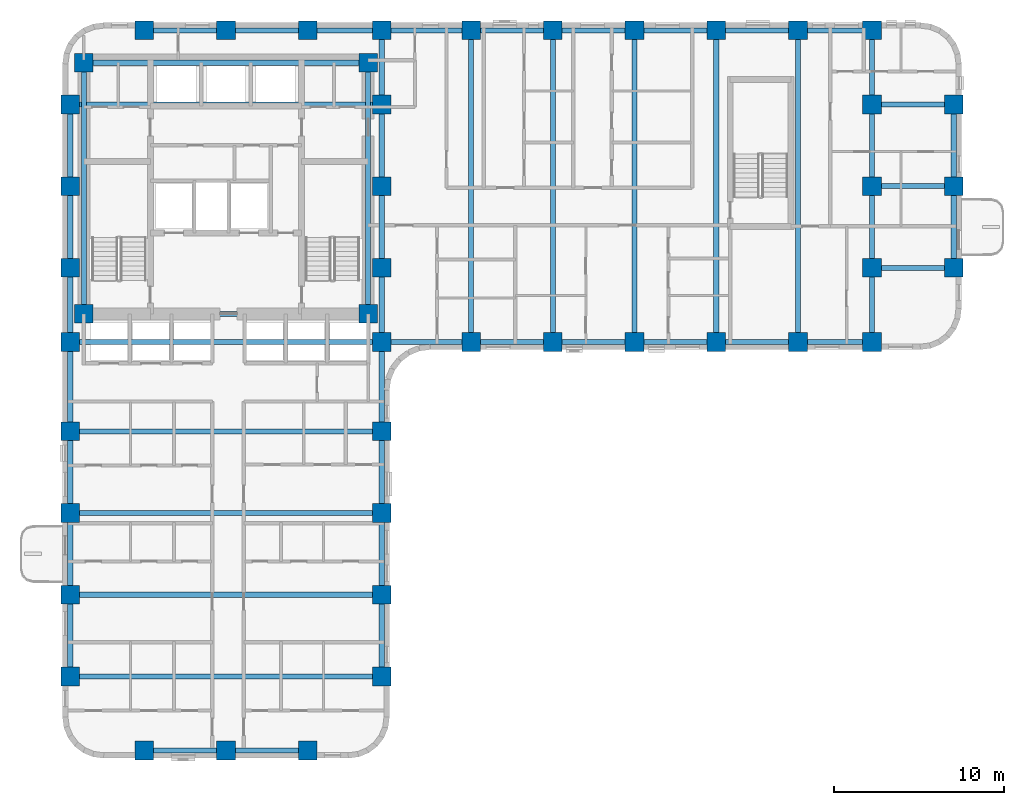
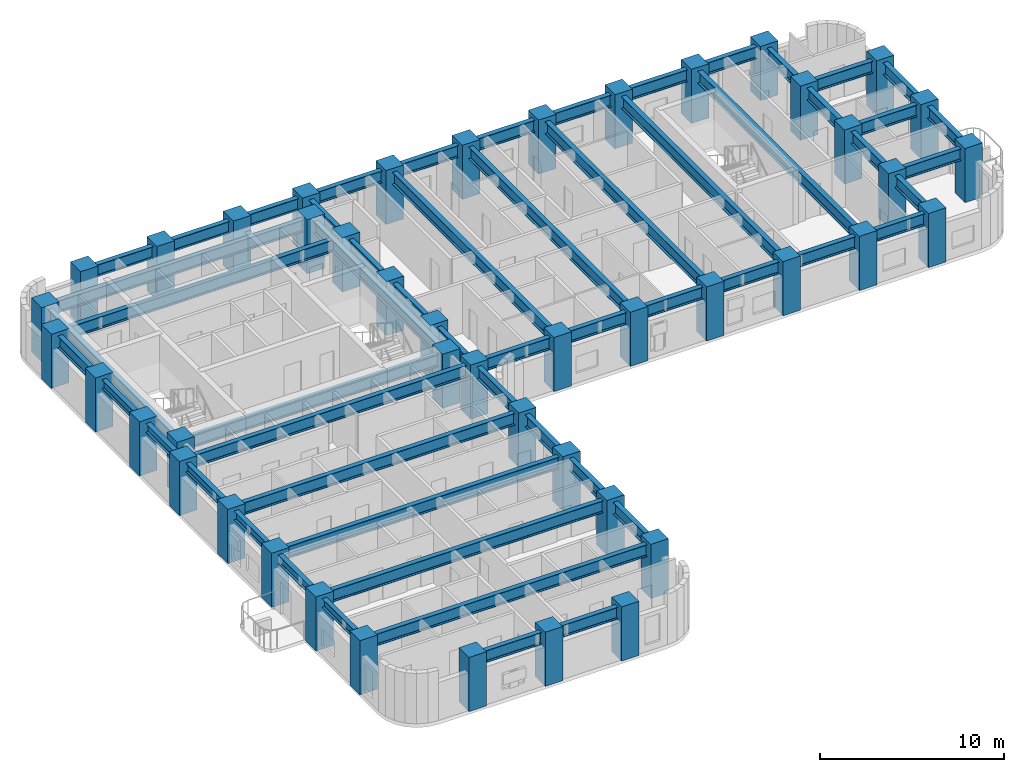
# One storey, part 1 of 10: 56 beams, 45 columns.
"""IFC4 building model written with IfcOpenShell, lengths in metres."""

from ifc_helpers import new_model, si_unit, direction, frame, origin, origin_2d, place, context, subcontext, project, spatial, rectangle, i_section, extrude, material, material_profile, profile_set, type_object, element, save


model = new_model("IFC4")

# Units and contexts
model_context = context("Model", 3, precision=1e-05, world=origin(), true_north=direction((0.0, 1.0)))
body_context = subcontext(model_context, "Body", "Model", "MODEL_VIEW")
ifc_project = project(units=[si_unit("LENGTHUNIT", "METRE"), si_unit("AREAUNIT", "SQUARE_METRE"), si_unit("VOLUMEUNIT", "CUBIC_METRE"), si_unit("PLANEANGLEUNIT", "RADIAN"), si_unit("MASSUNIT", "GRAM", prefix="KILO")], contexts=[model_context])

# Site, building, storey
site_placement = place(None, origin())
site = spatial("IfcSite", under=ifc_project, at=site_placement, CompositionType="ELEMENT")
building_placement = place(site_placement, origin())
building = spatial("IfcBuilding", under=site, at=building_placement, Name="Orvandelia Arch Residences", CompositionType="ELEMENT")
storey_placement = place(building_placement, frame((0.0, 0.0, 28.60009765625)))
storey = spatial("IfcBuildingStorey", under=building, at=storey_placement, Name="L06", CompositionType="ELEMENT", Elevation=28.60009765625)

# Columns
ifc_material_1 = material(Name="Concrete C80/95", Category="concrete")
ifc_material_profile_1 = material_profile(ifc_material_1, rectangle(XDim=1.10009765625, YDim=1.10009765625, at=origin_2d()), Name="Concrete C80/95", Category="concrete")
ifc_profile_set_1 = profile_set([ifc_material_profile_1], Name="Concrete C80/95")
column_type = type_object("IfcColumnType", Name="COL-TWR-1100", PredefinedType="COLUMN", material=ifc_profile_set_1)
for number, where, z_axis, x_axis, name in (
    (1, (5.25, 9.60009765625, 0.0), (0.0, 0.0, 1.0), (1.0, 0.0, 0.0), "Structural Column L06-W-W-96"),
    (2, (5.25, 14.39990234375, 0.0), (0.0, 0.0, 1.0), (1.0, 0.0, 0.0), "Structural Column L06-W-W-144"),
    (3, (5.25, 19.199951171875, 0.0), (0.0, 0.0, 1.0), (1.0, 0.0, 0.0), "Structural Column L06-W-W-192"),
    (4, (5.25, 24.0, 0.0), (0.0, 0.0, 1.0), (1.0, 0.0, 0.0), "Structural Column L06-W-W-240"),
    (5, (5.25, 29.25, 0.0), (0.0, 0.0, 1.0), (1.0, 0.0, 0.0), "Structural Column L06-W-W-292"),
    (6, (5.25, 33.60009765625, 0.0), (0.0, 0.0, 1.0), (1.0, 0.0, 0.0), "Structural Column L06-W-W-336"),
    (7, (5.25, 38.39990234375, 0.0), (0.0, 0.0, 1.0), (1.0, 0.0, 0.0), "Structural Column L06-W-W-384"),
    (8, (5.25, 43.199951171875, 0.0), (0.0, 0.0, 1.0), (1.0, 0.0, 0.0), "Structural Column L06-W-W-432"),
    (9, (6.050048828125, 30.89990234375, 0.0), (0.0, 0.0, 1.0), (1.0, 0.0, 0.0), "Structural Column L06-CR-SW"),
    (10, (6.050048828125, 45.64990234375, 0.0), (0.0, 0.0, 1.0), (1.0, 0.0, 0.0), "Structural Column L06-CR-NW"),
    (11, (9.60009765625, 5.25, 0.0), (0.0, 0.0, 1.0), (1.0, 0.0, 0.0), "Structural Column L06-W-S-96"),
    (12, (9.60009765625, 47.550048828125, 0.0), (0.0, 0.0, 1.0), (1.0, 0.0, 0.0), "Structural Column L06-W-N-96"),
    (13, (14.39990234375, 5.25, 0.0), (0.0, 0.0, 1.0), (1.0, 0.0, 0.0), "Structural Column L06-W-S-144"),
    (14, (14.39990234375, 47.550048828125, 0.0), (0.0, 0.0, 1.0), (1.0, 0.0, 0.0), "Structural Column L06-W-N-144"),
    (15, (19.199951171875, 5.25, 0.0), (0.0, 0.0, 1.0), (1.0, 0.0, 0.0), "Structural Column L06-W-S-192"),
    (16, (19.199951171875, 47.550048828125, 0.0), (0.0, 0.0, 1.0), (1.0, 0.0, 0.0), "Structural Column L06-W-N-192"),
    (17, (22.75, 30.89990234375, 0.0), (0.0, 0.0, 1.0), (1.0, 0.0, 0.0), "Structural Column L06-CR-SE"),
    (18, (22.75, 45.64990234375, 0.0), (0.0, 0.0, 1.0), (1.0, 0.0, 0.0), "Structural Column L06-CR-NE"),
    (19, (23.550048828125, 9.60009765625, 0.0), (0.0, 0.0, 1.0), (1.0, 0.0, 0.0), "Structural Column L06-W-E-96"),
    (20, (23.550048828125, 14.39990234375, 0.0), (0.0, 0.0, 1.0), (1.0, 0.0, 0.0), "Structural Column L06-W-E-144"),
    (21, (23.550048828125, 19.199951171875, 0.0), (0.0, 0.0, 1.0), (1.0, 0.0, 0.0), "Structural Column L06-W-E-192"),
    (22, (23.550048828125, 24.0, 0.0), (0.0, 0.0, 1.0), (1.0, 0.0, 0.0), "Structural Column L06-W-E-240"),
    (23, (23.550048828125, 29.25, 0.0), (0.0, 0.0, 1.0), (1.0, 0.0, 0.0), "Structural Column L06-W-E-292"),
    (24, (23.550048828125, 33.60009765625, 0.0), (0.0, 0.0, 1.0), (1.0, 0.0, 0.0), "Structural Column L06-W-E-336"),
    (25, (23.550048828125, 38.39990234375, 0.0), (0.0, 0.0, 1.0), (1.0, 0.0, 0.0), "Structural Column L06-W-E-384"),
    (26, (23.550048828125, 43.199951171875, 0.0), (0.0, 0.0, 1.0), (1.0, 0.0, 0.0), "Structural Column L06-W-E-432"),
    (27, (23.550048828125, 47.550048828125, 0.0), (0.0, 0.0, 1.0), (1.0, 0.0, 0.0), "Structural Column L06-W-N-235"),
    (28, (28.800048828125, 29.25, 0.0), (0.0, 0.0, 1.0), (1.0, 0.0, 0.0), "Structural Column L06-E-S-288"),
    (29, (28.800048828125, 47.550048828125, 0.0), (0.0, 0.0, 1.0), (1.0, 0.0, 0.0), "Structural Column L06-E-N-288"),
    (30, (33.60009765625, 29.25, 0.0), (0.0, 0.0, 1.0), (1.0, 0.0, 0.0), "Structural Column L06-E-S-336"),
    (31, (33.60009765625, 47.550048828125, 0.0), (0.0, 0.0, 1.0), (1.0, 0.0, 0.0), "Structural Column L06-E-N-336"),
    (32, (38.39990234375, 29.25, 0.0), (0.0, 0.0, 1.0), (1.0, 0.0, 0.0), "Structural Column L06-E-S-384"),
    (33, (38.39990234375, 47.550048828125, 0.0), (0.0, 0.0, 1.0), (1.0, 0.0, 0.0), "Structural Column L06-E-N-384"),
    (34, (43.199951171875, 29.25, 0.0), (0.0, 0.0, 1.0), (1.0, 0.0, 0.0), "Structural Column L06-E-S-432"),
    (35, (43.199951171875, 47.550048828125, 0.0), (0.0, 0.0, 1.0), (1.0, 0.0, 0.0), "Structural Column L06-E-N-432"),
    (36, (48.0, 29.25, 0.0), (0.0, 0.0, 1.0), (1.0, 0.0, 0.0), "Structural Column L06-E-S-480"),
    (37, (48.0, 47.550048828125, 0.0), (0.0, 0.0, 1.0), (1.0, 0.0, 0.0), "Structural Column L06-E-N-480"),
    (38, (52.35009765625, 29.25, 0.0), (0.0, 0.0, 1.0), (1.0, 0.0, 0.0), "Structural Column L06-E-S-523"),
    (39, (52.35009765625, 33.60009765625, 0.0), (0.0, 0.0, 1.0), (1.0, 0.0, 0.0), "Structural Column L06-E-523-336"),
    (40, (52.35009765625, 38.39990234375, 0.0), (0.0, 0.0, 1.0), (1.0, 0.0, 0.0), "Structural Column L06-E-523-384"),
    (41, (52.35009765625, 43.199951171875, 0.0), (0.0, 0.0, 1.0), (1.0, 0.0, 0.0), "Structural Column L06-E-523-432"),
    (42, (52.35009765625, 47.550048828125, 0.0), (0.0, 0.0, 1.0), (1.0, 0.0, 0.0), "Structural Column L06-E-N-523"),
    (43, (57.14990234375, 33.60009765625, 0.0), (0.0, 0.0, 1.0), (1.0, 0.0, 0.0), "Structural Column L06-E-571-336"),
    (44, (57.14990234375, 38.39990234375, 0.0), (0.0, 0.0, 1.0), (1.0, 0.0, 0.0), "Structural Column L06-E-571-384"),
    (45, (57.14990234375, 43.199951171875, 0.0), (0.0, 0.0, 1.0), (1.0, 0.0, 0.0), "Structural Column L06-E-571-432"),
):
    element("IfcColumn", number, at=place(storey_placement, frame(where, z_axis=z_axis, x_axis=x_axis)), inside=storey, type_object=column_type, Name=name, PredefinedType="COLUMN", context=body_context, shape_type="SweptSolid", body=[
        extrude(rectangle(XDim=1.10009765625, YDim=1.10009765625, at=origin_2d()), origin(), (0.0, 0.0, 1.0), 3.599853515625),
    ])

# Beams
ifc_material_2 = material(Name="Structural Steel SM355 (355 MPa)", Category="steel")
ifc_material_profile_2 = material_profile(ifc_material_2, i_section(OverallWidth=0.300048828125, OverallDepth=0.800048828125, WebThickness=0.013916015625, FlangeThickness=0.02587890625, FilletRadius=0.02587890625, at=origin_2d()), Name="Structural Steel SM355 (355 MPa)", Category="steel")
ifc_profile_set_2 = profile_set([ifc_material_profile_2], Name="Structural Steel SM355 (355 MPa)")
beam_type_1 = type_object("IfcBeamType", Name="BM-GRD-H800", PredefinedType="BEAM", material=ifc_profile_set_2)
beam_1_placement = place(storey_placement, frame((5.25, 38.39990234375, 2.949951171875), z_axis=(0.0, 1.0, 0.0), x_axis=(-1.0, 0.0, 0.0)))
element("IfcBeam", 46, at=beam_1_placement, inside=storey, type_object=beam_type_1, Name="Structural Frame Beam L06-NS-007", PredefinedType="BEAM", context=body_context, shape_type="SweptSolid", body=[
    extrude(i_section(OverallWidth=0.300048828125, OverallDepth=0.800048828125, WebThickness=0.013916015625, FlangeThickness=0.02587890625, FilletRadius=0.02587890625, at=origin_2d()), origin(), (0.0, 0.0, 1.0), 4.800048828125),
])
for number, where, z_axis, x_axis, name in (
    (47, (6.050048828125, 30.89990234375, 2.949951171875), (0.0, 1.0, 0.0), (-1.0, 0.0, 0.0), "Structural Frame Beam L06-NS-008"),
    (48, (22.75, 30.89990234375, 2.949951171875), (0.0, 1.0, 0.0), (-1.0, 0.0, 0.0), "Structural Frame Beam L06-NS-009"),
):
    element("IfcBeam", number, at=place(storey_placement, frame(where, z_axis=z_axis, x_axis=x_axis)), inside=storey, type_object=beam_type_1, Name=name, PredefinedType="BEAM", context=body_context, shape_type="SweptSolid", body=[
        extrude(i_section(OverallWidth=0.300048828125, OverallDepth=0.800048828125, WebThickness=0.013916015625, FlangeThickness=0.02587890625, FilletRadius=0.02587890625, at=origin_2d()), origin(), (0.0, 0.0, 1.0), 14.75),
    ])
beam_2_placement = place(storey_placement, frame((23.550048828125, 9.60009765625, 2.949951171875), z_axis=(0.0, 1.0, 0.0), x_axis=(-1.0, 0.0, 0.0)))
element("IfcBeam", 49, at=beam_2_placement, inside=storey, type_object=beam_type_1, Name="Structural Frame Beam L06-NS-010", PredefinedType="BEAM", context=body_context, shape_type="SweptSolid", body=[
    extrude(i_section(OverallWidth=0.300048828125, OverallDepth=0.800048828125, WebThickness=0.013916015625, FlangeThickness=0.02587890625, FilletRadius=0.02587890625, at=origin_2d()), origin(), (0.0, 0.0, 1.0), 4.7998046875),
])
for number, where, z_axis, x_axis, name in (
    (50, (23.550048828125, 14.39990234375, 2.949951171875), (0.0, 1.0, 0.0), (-1.0, 0.0, 0.0), "Structural Frame Beam L06-NS-011"),
    (51, (23.550048828125, 19.199951171875, 2.949951171875), (0.0, 1.0, 0.0), (-1.0, 0.0, 0.0), "Structural Frame Beam L06-NS-012"),
):
    element("IfcBeam", number, at=place(storey_placement, frame(where, z_axis=z_axis, x_axis=x_axis)), inside=storey, type_object=beam_type_1, Name=name, PredefinedType="BEAM", context=body_context, shape_type="SweptSolid", body=[
        extrude(i_section(OverallWidth=0.300048828125, OverallDepth=0.800048828125, WebThickness=0.013916015625, FlangeThickness=0.02587890625, FilletRadius=0.02587890625, at=origin_2d()), origin(), (0.0, 0.0, 1.0), 4.800048828125),
    ])
beam_3_placement = place(storey_placement, frame((23.550048828125, 24.0, 2.949951171875), z_axis=(0.0, 1.0, 0.0), x_axis=(-1.0, 0.0, 0.0)))
element("IfcBeam", 52, at=beam_3_placement, inside=storey, type_object=beam_type_1, Name="Structural Frame Beam L06-NS-013", PredefinedType="BEAM", context=body_context, shape_type="SweptSolid", body=[
    extrude(i_section(OverallWidth=0.300048828125, OverallDepth=0.800048828125, WebThickness=0.013916015625, FlangeThickness=0.02587890625, FilletRadius=0.02587890625, at=origin_2d()), origin(), (0.0, 0.0, 1.0), 5.25),
])
beam_4_placement = place(storey_placement, frame((23.550048828125, 29.25, 2.949951171875), z_axis=(0.0, 1.0, 0.0), x_axis=(-1.0, 0.0, 0.0)))
element("IfcBeam", 53, at=beam_4_placement, inside=storey, type_object=beam_type_1, Name="Structural Frame Beam L06-NS-014", PredefinedType="BEAM", context=body_context, shape_type="SweptSolid", body=[
    extrude(i_section(OverallWidth=0.300048828125, OverallDepth=0.800048828125, WebThickness=0.013916015625, FlangeThickness=0.02587890625, FilletRadius=0.02587890625, at=origin_2d()), origin(), (0.0, 0.0, 1.0), 4.35009765625),
])
beam_5_placement = place(storey_placement, frame((23.550048828125, 33.60009765625, 2.949951171875), z_axis=(0.0, 1.0, 0.0), x_axis=(-1.0, 0.0, 0.0)))
element("IfcBeam", 54, at=beam_5_placement, inside=storey, type_object=beam_type_1, Name="Structural Frame Beam L06-NS-015", PredefinedType="BEAM", context=body_context, shape_type="SweptSolid", body=[
    extrude(i_section(OverallWidth=0.300048828125, OverallDepth=0.800048828125, WebThickness=0.013916015625, FlangeThickness=0.02587890625, FilletRadius=0.02587890625, at=origin_2d()), origin(), (0.0, 0.0, 1.0), 4.7998046875),
])
beam_6_placement = place(storey_placement, frame((23.550048828125, 38.39990234375, 2.949951171875), z_axis=(0.0, 1.0, 0.0), x_axis=(-1.0, 0.0, 0.0)))
element("IfcBeam", 55, at=beam_6_placement, inside=storey, type_object=beam_type_1, Name="Structural Frame Beam L06-NS-016", PredefinedType="BEAM", context=body_context, shape_type="SweptSolid", body=[
    extrude(i_section(OverallWidth=0.300048828125, OverallDepth=0.800048828125, WebThickness=0.013916015625, FlangeThickness=0.02587890625, FilletRadius=0.02587890625, at=origin_2d()), origin(), (0.0, 0.0, 1.0), 4.800048828125),
])
beam_7_placement = place(storey_placement, frame((23.550048828125, 43.199951171875, 2.949951171875), z_axis=(0.0, 1.0, 0.0), x_axis=(-1.0, 0.0, 0.0)))
element("IfcBeam", 56, at=beam_7_placement, inside=storey, type_object=beam_type_1, Name="Structural Frame Beam L06-NS-017", PredefinedType="BEAM", context=body_context, shape_type="SweptSolid", body=[
    extrude(i_section(OverallWidth=0.300048828125, OverallDepth=0.800048828125, WebThickness=0.013916015625, FlangeThickness=0.02587890625, FilletRadius=0.02587890625, at=origin_2d()), origin(), (0.0, 0.0, 1.0), 4.35009765625),
])
for number, where, z_axis, x_axis, name in (
    (57, (28.800048828125, 29.25, 2.949951171875), (0.0, 1.0, 0.0), (-1.0, 0.0, 0.0), "Structural Frame Beam L06-NS-018"),
    (58, (33.60009765625, 29.25, 2.949951171875), (0.0, 1.0, 0.0), (-1.0, 0.0, 0.0), "Structural Frame Beam L06-NS-019"),
    (59, (38.39990234375, 29.25, 2.949951171875), (0.0, 1.0, 0.0), (-1.0, 0.0, 0.0), "Structural Frame Beam L06-NS-020"),
    (60, (43.199951171875, 29.25, 2.949951171875), (0.0, 1.0, 0.0), (-1.0, 0.0, 0.0), "Structural Frame Beam L06-NS-021"),
    (61, (48.0, 29.25, 2.949951171875), (0.0, 1.0, 0.0), (-1.0, 0.0, 0.0), "Structural Frame Beam L06-NS-022"),
):
    element("IfcBeam", number, at=place(storey_placement, frame(where, z_axis=z_axis, x_axis=x_axis)), inside=storey, type_object=beam_type_1, Name=name, PredefinedType="BEAM", context=body_context, shape_type="SweptSolid", body=[
        extrude(i_section(OverallWidth=0.300048828125, OverallDepth=0.800048828125, WebThickness=0.013916015625, FlangeThickness=0.02587890625, FilletRadius=0.02587890625, at=origin_2d()), origin(), (0.0, 0.0, 1.0), 18.300048828125),
    ])
beam_8_placement = place(storey_placement, frame((52.35009765625, 29.25, 2.949951171875), z_axis=(0.0, 1.0, 0.0), x_axis=(-1.0, 0.0, 0.0)))
element("IfcBeam", 62, at=beam_8_placement, inside=storey, type_object=beam_type_1, Name="Structural Frame Beam L06-NS-023", PredefinedType="BEAM", context=body_context, shape_type="SweptSolid", body=[
    extrude(i_section(OverallWidth=0.300048828125, OverallDepth=0.800048828125, WebThickness=0.013916015625, FlangeThickness=0.02587890625, FilletRadius=0.02587890625, at=origin_2d()), origin(), (0.0, 0.0, 1.0), 4.35009765625),
])
beam_9_placement = place(storey_placement, frame((52.35009765625, 33.60009765625, 2.949951171875), z_axis=(0.0, 1.0, 0.0), x_axis=(-1.0, 0.0, 0.0)))
element("IfcBeam", 63, at=beam_9_placement, inside=storey, type_object=beam_type_1, Name="Structural Frame Beam L06-NS-024", PredefinedType="BEAM", context=body_context, shape_type="SweptSolid", body=[
    extrude(i_section(OverallWidth=0.300048828125, OverallDepth=0.800048828125, WebThickness=0.013916015625, FlangeThickness=0.02587890625, FilletRadius=0.02587890625, at=origin_2d()), origin(), (0.0, 0.0, 1.0), 4.7998046875),
])
beam_10_placement = place(storey_placement, frame((52.35009765625, 38.39990234375, 2.949951171875), z_axis=(0.0, 1.0, 0.0), x_axis=(-1.0, 0.0, 0.0)))
element("IfcBeam", 64, at=beam_10_placement, inside=storey, type_object=beam_type_1, Name="Structural Frame Beam L06-NS-025", PredefinedType="BEAM", context=body_context, shape_type="SweptSolid", body=[
    extrude(i_section(OverallWidth=0.300048828125, OverallDepth=0.800048828125, WebThickness=0.013916015625, FlangeThickness=0.02587890625, FilletRadius=0.02587890625, at=origin_2d()), origin(), (0.0, 0.0, 1.0), 4.800048828125),
])
beam_11_placement = place(storey_placement, frame((52.35009765625, 43.199951171875, 2.949951171875), z_axis=(0.0, 1.0, 0.0), x_axis=(-1.0, 0.0, 0.0)))
element("IfcBeam", 65, at=beam_11_placement, inside=storey, type_object=beam_type_1, Name="Structural Frame Beam L06-NS-026", PredefinedType="BEAM", context=body_context, shape_type="SweptSolid", body=[
    extrude(i_section(OverallWidth=0.300048828125, OverallDepth=0.800048828125, WebThickness=0.013916015625, FlangeThickness=0.02587890625, FilletRadius=0.02587890625, at=origin_2d()), origin(), (0.0, 0.0, 1.0), 4.35009765625),
])
beam_12_placement = place(storey_placement, frame((57.14990234375, 33.60009765625, 2.949951171875), z_axis=(0.0, 1.0, 0.0), x_axis=(-1.0, 0.0, 0.0)))
element("IfcBeam", 66, at=beam_12_placement, inside=storey, type_object=beam_type_1, Name="Structural Frame Beam L06-NS-027", PredefinedType="BEAM", context=body_context, shape_type="SweptSolid", body=[
    extrude(i_section(OverallWidth=0.300048828125, OverallDepth=0.800048828125, WebThickness=0.013916015625, FlangeThickness=0.02587890625, FilletRadius=0.02587890625, at=origin_2d()), origin(), (0.0, 0.0, 1.0), 4.7998046875),
])
beam_13_placement = place(storey_placement, frame((57.14990234375, 38.39990234375, 2.949951171875), z_axis=(0.0, 1.0, 0.0), x_axis=(-1.0, 0.0, 0.0)))
element("IfcBeam", 67, at=beam_13_placement, inside=storey, type_object=beam_type_1, Name="Structural Frame Beam L06-NS-028", PredefinedType="BEAM", context=body_context, shape_type="SweptSolid", body=[
    extrude(i_section(OverallWidth=0.300048828125, OverallDepth=0.800048828125, WebThickness=0.013916015625, FlangeThickness=0.02587890625, FilletRadius=0.02587890625, at=origin_2d()), origin(), (0.0, 0.0, 1.0), 4.800048828125),
])
beam_14_placement = place(storey_placement, frame((9.60009765625, 5.25, 2.949951171875), z_axis=(1.0, 0.0, 0.0), x_axis=(0.0, 1.0, 0.0)))
element("IfcBeam", 68, at=beam_14_placement, inside=storey, type_object=beam_type_1, Name="Structural Frame Girder L06-EW-029", PredefinedType="BEAM", context=body_context, shape_type="SweptSolid", body=[
    extrude(i_section(OverallWidth=0.300048828125, OverallDepth=0.800048828125, WebThickness=0.013916015625, FlangeThickness=0.02587890625, FilletRadius=0.02587890625, at=origin_2d()), origin(), (0.0, 0.0, 1.0), 4.7998046875),
])
beam_15_placement = place(storey_placement, frame((14.39990234375, 5.25, 2.949951171875), z_axis=(1.0, 0.0, 0.0), x_axis=(0.0, 1.0, 0.0)))
element("IfcBeam", 69, at=beam_15_placement, inside=storey, type_object=beam_type_1, Name="Structural Frame Girder L06-EW-030", PredefinedType="BEAM", context=body_context, shape_type="SweptSolid", body=[
    extrude(i_section(OverallWidth=0.300048828125, OverallDepth=0.800048828125, WebThickness=0.013916015625, FlangeThickness=0.02587890625, FilletRadius=0.02587890625, at=origin_2d()), origin(), (0.0, 0.0, 1.0), 4.800048828125),
])
for number, where, z_axis, x_axis, name in (
    (70, (5.25, 9.60009765625, 2.949951171875), (1.0, 0.0, 0.0), (0.0, 1.0, 0.0), "Structural Frame Girder L06-EW-031"),
    (71, (5.25, 14.39990234375, 2.949951171875), (1.0, 0.0, 0.0), (0.0, 1.0, 0.0), "Structural Frame Girder L06-EW-032"),
    (72, (5.25, 19.199951171875, 2.949951171875), (1.0, 0.0, 0.0), (0.0, 1.0, 0.0), "Structural Frame Girder L06-EW-033"),
    (73, (5.25, 24.0, 2.949951171875), (1.0, 0.0, 0.0), (0.0, 1.0, 0.0), "Structural Frame Girder L06-EW-034"),
    (74, (5.25, 29.25, 2.949951171875), (1.0, 0.0, 0.0), (0.0, 1.0, 0.0), "Structural Frame Girder L06-EW-035"),
):
    element("IfcBeam", number, at=place(storey_placement, frame(where, z_axis=z_axis, x_axis=x_axis)), inside=storey, type_object=beam_type_1, Name=name, PredefinedType="BEAM", context=body_context, shape_type="SweptSolid", body=[
        extrude(i_section(OverallWidth=0.300048828125, OverallDepth=0.800048828125, WebThickness=0.013916015625, FlangeThickness=0.02587890625, FilletRadius=0.02587890625, at=origin_2d()), origin(), (0.0, 0.0, 1.0), 18.300048828125),
    ])
beam_16_placement = place(storey_placement, frame((23.550048828125, 29.25, 2.949951171875), z_axis=(1.0, 0.0, 0.0), x_axis=(0.0, 1.0, 0.0)))
element("IfcBeam", 75, at=beam_16_placement, inside=storey, type_object=beam_type_1, Name="Structural Frame Girder L06-EW-036", PredefinedType="BEAM", context=body_context, shape_type="SweptSolid", body=[
    extrude(i_section(OverallWidth=0.300048828125, OverallDepth=0.800048828125, WebThickness=0.013916015625, FlangeThickness=0.02587890625, FilletRadius=0.02587890625, at=origin_2d()), origin(), (0.0, 0.0, 1.0), 5.25),
])
beam_17_placement = place(storey_placement, frame((28.800048828125, 29.25, 2.949951171875), z_axis=(1.0, 0.0, 0.0), x_axis=(0.0, 1.0, 0.0)))
element("IfcBeam", 76, at=beam_17_placement, inside=storey, type_object=beam_type_1, Name="Structural Frame Girder L06-EW-037", PredefinedType="BEAM", context=body_context, shape_type="SweptSolid", body=[
    extrude(i_section(OverallWidth=0.300048828125, OverallDepth=0.800048828125, WebThickness=0.013916015625, FlangeThickness=0.02587890625, FilletRadius=0.02587890625, at=origin_2d()), origin(), (0.0, 0.0, 1.0), 4.800048828125),
])
beam_18_placement = place(storey_placement, frame((33.60009765625, 29.25, 2.949951171875), z_axis=(1.0, 0.0, 0.0), x_axis=(0.0, 1.0, 0.0)))
element("IfcBeam", 77, at=beam_18_placement, inside=storey, type_object=beam_type_1, Name="Structural Frame Girder L06-EW-038", PredefinedType="BEAM", context=body_context, shape_type="SweptSolid", body=[
    extrude(i_section(OverallWidth=0.300048828125, OverallDepth=0.800048828125, WebThickness=0.013916015625, FlangeThickness=0.02587890625, FilletRadius=0.02587890625, at=origin_2d()), origin(), (0.0, 0.0, 1.0), 4.7998046875),
])
for number, where, z_axis, x_axis, name in (
    (78, (38.39990234375, 29.25, 2.949951171875), (1.0, 0.0, 0.0), (0.0, 1.0, 0.0), "Structural Frame Girder L06-EW-039"),
    (79, (43.199951171875, 29.25, 2.949951171875), (1.0, 0.0, 0.0), (0.0, 1.0, 0.0), "Structural Frame Girder L06-EW-040"),
):
    element("IfcBeam", number, at=place(storey_placement, frame(where, z_axis=z_axis, x_axis=x_axis)), inside=storey, type_object=beam_type_1, Name=name, PredefinedType="BEAM", context=body_context, shape_type="SweptSolid", body=[
        extrude(i_section(OverallWidth=0.300048828125, OverallDepth=0.800048828125, WebThickness=0.013916015625, FlangeThickness=0.02587890625, FilletRadius=0.02587890625, at=origin_2d()), origin(), (0.0, 0.0, 1.0), 4.800048828125),
    ])
beam_19_placement = place(storey_placement, frame((48.0, 29.25, 2.949951171875), z_axis=(1.0, 0.0, 0.0), x_axis=(0.0, 1.0, 0.0)))
element("IfcBeam", 80, at=beam_19_placement, inside=storey, type_object=beam_type_1, Name="Structural Frame Girder L06-EW-041", PredefinedType="BEAM", context=body_context, shape_type="SweptSolid", body=[
    extrude(i_section(OverallWidth=0.300048828125, OverallDepth=0.800048828125, WebThickness=0.013916015625, FlangeThickness=0.02587890625, FilletRadius=0.02587890625, at=origin_2d()), origin(), (0.0, 0.0, 1.0), 4.35009765625),
])
beam_20_placement = place(storey_placement, frame((6.050048828125, 30.89990234375, 2.949951171875), z_axis=(1.0, 0.0, 0.0), x_axis=(0.0, 1.0, 0.0)))
element("IfcBeam", 81, at=beam_20_placement, inside=storey, type_object=beam_type_1, Name="Structural Frame Girder L06-EW-042", PredefinedType="BEAM", context=body_context, shape_type="SweptSolid", body=[
    extrude(i_section(OverallWidth=0.300048828125, OverallDepth=0.800048828125, WebThickness=0.013916015625, FlangeThickness=0.02587890625, FilletRadius=0.02587890625, at=origin_2d()), origin(), (0.0, 0.0, 1.0), 16.699951171875),
])
for number, where, z_axis, x_axis, name in (
    (82, (52.35009765625, 33.60009765625, 2.949951171875), (1.0, 0.0, 0.0), (0.0, 1.0, 0.0), "Structural Frame Girder L06-EW-044"),
    (83, (52.35009765625, 38.39990234375, 2.949951171875), (1.0, 0.0, 0.0), (0.0, 1.0, 0.0), "Structural Frame Girder L06-EW-046"),
):
    element("IfcBeam", number, at=place(storey_placement, frame(where, z_axis=z_axis, x_axis=x_axis)), inside=storey, type_object=beam_type_1, Name=name, PredefinedType="BEAM", context=body_context, shape_type="SweptSolid", body=[
        extrude(i_section(OverallWidth=0.300048828125, OverallDepth=0.800048828125, WebThickness=0.013916015625, FlangeThickness=0.02587890625, FilletRadius=0.02587890625, at=origin_2d()), origin(), (0.0, 0.0, 1.0), 4.7998046875),
    ])
beam_21_placement = place(storey_placement, frame((5.25, 43.199951171875, 2.949951171875), z_axis=(1.0, 0.0, 0.0), x_axis=(0.0, 1.0, 0.0)))
element("IfcBeam", 84, at=beam_21_placement, inside=storey, type_object=beam_type_1, Name="Structural Frame Girder L06-EW-047", PredefinedType="BEAM", context=body_context, shape_type="SweptSolid", body=[
    extrude(i_section(OverallWidth=0.300048828125, OverallDepth=0.800048828125, WebThickness=0.013916015625, FlangeThickness=0.02587890625, FilletRadius=0.02587890625, at=origin_2d()), origin(), (0.0, 0.0, 1.0), 18.300048828125),
])
beam_22_placement = place(storey_placement, frame((52.35009765625, 43.199951171875, 2.949951171875), z_axis=(1.0, 0.0, 0.0), x_axis=(0.0, 1.0, 0.0)))
element("IfcBeam", 85, at=beam_22_placement, inside=storey, type_object=beam_type_1, Name="Structural Frame Girder L06-EW-048", PredefinedType="BEAM", context=body_context, shape_type="SweptSolid", body=[
    extrude(i_section(OverallWidth=0.300048828125, OverallDepth=0.800048828125, WebThickness=0.013916015625, FlangeThickness=0.02587890625, FilletRadius=0.02587890625, at=origin_2d()), origin(), (0.0, 0.0, 1.0), 4.7998046875),
])
beam_23_placement = place(storey_placement, frame((6.050048828125, 45.64990234375, 2.949951171875), z_axis=(1.0, 0.0, 0.0), x_axis=(0.0, 1.0, 0.0)))
element("IfcBeam", 86, at=beam_23_placement, inside=storey, type_object=beam_type_1, Name="Structural Frame Girder L06-EW-049", PredefinedType="BEAM", context=body_context, shape_type="SweptSolid", body=[
    extrude(i_section(OverallWidth=0.300048828125, OverallDepth=0.800048828125, WebThickness=0.013916015625, FlangeThickness=0.02587890625, FilletRadius=0.02587890625, at=origin_2d()), origin(), (0.0, 0.0, 1.0), 16.699951171875),
])
beam_24_placement = place(storey_placement, frame((9.60009765625, 47.550048828125, 2.949951171875), z_axis=(1.0, 0.0, 0.0), x_axis=(0.0, 1.0, 0.0)))
element("IfcBeam", 87, at=beam_24_placement, inside=storey, type_object=beam_type_1, Name="Structural Frame Girder L06-EW-050", PredefinedType="BEAM", context=body_context, shape_type="SweptSolid", body=[
    extrude(i_section(OverallWidth=0.300048828125, OverallDepth=0.800048828125, WebThickness=0.013916015625, FlangeThickness=0.02587890625, FilletRadius=0.02587890625, at=origin_2d()), origin(), (0.0, 0.0, 1.0), 4.7998046875),
])
beam_25_placement = place(storey_placement, frame((14.39990234375, 47.550048828125, 2.949951171875), z_axis=(1.0, 0.0, 0.0), x_axis=(0.0, 1.0, 0.0)))
element("IfcBeam", 88, at=beam_25_placement, inside=storey, type_object=beam_type_1, Name="Structural Frame Girder L06-EW-051", PredefinedType="BEAM", context=body_context, shape_type="SweptSolid", body=[
    extrude(i_section(OverallWidth=0.300048828125, OverallDepth=0.800048828125, WebThickness=0.013916015625, FlangeThickness=0.02587890625, FilletRadius=0.02587890625, at=origin_2d()), origin(), (0.0, 0.0, 1.0), 4.800048828125),
])
beam_26_placement = place(storey_placement, frame((19.199951171875, 47.550048828125, 2.949951171875), z_axis=(1.0, 0.0, 0.0), x_axis=(0.0, 1.0, 0.0)))
element("IfcBeam", 89, at=beam_26_placement, inside=storey, type_object=beam_type_1, Name="Structural Frame Girder L06-EW-052", PredefinedType="BEAM", context=body_context, shape_type="SweptSolid", body=[
    extrude(i_section(OverallWidth=0.300048828125, OverallDepth=0.800048828125, WebThickness=0.013916015625, FlangeThickness=0.02587890625, FilletRadius=0.02587890625, at=origin_2d()), origin(), (0.0, 0.0, 1.0), 4.35009765625),
])
beam_27_placement = place(storey_placement, frame((23.550048828125, 47.550048828125, 2.949951171875), z_axis=(1.0, 0.0, 0.0), x_axis=(0.0, 1.0, 0.0)))
element("IfcBeam", 90, at=beam_27_placement, inside=storey, type_object=beam_type_1, Name="Structural Frame Girder L06-EW-053", PredefinedType="BEAM", context=body_context, shape_type="SweptSolid", body=[
    extrude(i_section(OverallWidth=0.300048828125, OverallDepth=0.800048828125, WebThickness=0.013916015625, FlangeThickness=0.02587890625, FilletRadius=0.02587890625, at=origin_2d()), origin(), (0.0, 0.0, 1.0), 5.25),
])
beam_28_placement = place(storey_placement, frame((28.800048828125, 47.550048828125, 2.949951171875), z_axis=(1.0, 0.0, 0.0), x_axis=(0.0, 1.0, 0.0)))
element("IfcBeam", 91, at=beam_28_placement, inside=storey, type_object=beam_type_1, Name="Structural Frame Girder L06-EW-054", PredefinedType="BEAM", context=body_context, shape_type="SweptSolid", body=[
    extrude(i_section(OverallWidth=0.300048828125, OverallDepth=0.800048828125, WebThickness=0.013916015625, FlangeThickness=0.02587890625, FilletRadius=0.02587890625, at=origin_2d()), origin(), (0.0, 0.0, 1.0), 4.800048828125),
])
beam_29_placement = place(storey_placement, frame((33.60009765625, 47.550048828125, 2.949951171875), z_axis=(1.0, 0.0, 0.0), x_axis=(0.0, 1.0, 0.0)))
element("IfcBeam", 92, at=beam_29_placement, inside=storey, type_object=beam_type_1, Name="Structural Frame Girder L06-EW-055", PredefinedType="BEAM", context=body_context, shape_type="SweptSolid", body=[
    extrude(i_section(OverallWidth=0.300048828125, OverallDepth=0.800048828125, WebThickness=0.013916015625, FlangeThickness=0.02587890625, FilletRadius=0.02587890625, at=origin_2d()), origin(), (0.0, 0.0, 1.0), 4.7998046875),
])
for number, where, z_axis, x_axis, name in (
    (93, (38.39990234375, 47.550048828125, 2.949951171875), (1.0, 0.0, 0.0), (0.0, 1.0, 0.0), "Structural Frame Girder L06-EW-056"),
    (94, (43.199951171875, 47.550048828125, 2.949951171875), (1.0, 0.0, 0.0), (0.0, 1.0, 0.0), "Structural Frame Girder L06-EW-057"),
):
    element("IfcBeam", number, at=place(storey_placement, frame(where, z_axis=z_axis, x_axis=x_axis)), inside=storey, type_object=beam_type_1, Name=name, PredefinedType="BEAM", context=body_context, shape_type="SweptSolid", body=[
        extrude(i_section(OverallWidth=0.300048828125, OverallDepth=0.800048828125, WebThickness=0.013916015625, FlangeThickness=0.02587890625, FilletRadius=0.02587890625, at=origin_2d()), origin(), (0.0, 0.0, 1.0), 4.800048828125),
    ])
beam_30_placement = place(storey_placement, frame((48.0, 47.550048828125, 2.949951171875), z_axis=(1.0, 0.0, 0.0), x_axis=(0.0, 1.0, 0.0)))
element("IfcBeam", 95, at=beam_30_placement, inside=storey, type_object=beam_type_1, Name="Structural Frame Girder L06-EW-058", PredefinedType="BEAM", context=body_context, shape_type="SweptSolid", body=[
    extrude(i_section(OverallWidth=0.300048828125, OverallDepth=0.800048828125, WebThickness=0.013916015625, FlangeThickness=0.02587890625, FilletRadius=0.02587890625, at=origin_2d()), origin(), (0.0, 0.0, 1.0), 4.35009765625),
])
ifc_material_profile_3 = material_profile(ifc_material_2, i_section(OverallWidth=0.300048828125, OverallDepth=0.587890625, WebThickness=0.011962890625, FlangeThickness=0.02001953125, FilletRadius=0.02197265625, at=origin_2d()), Name="Structural Steel SM355 (355 MPa)", Category="steel")
ifc_profile_set_3 = profile_set([ifc_material_profile_3], Name="Structural Steel SM355 (355 MPa)")
beam_type_2 = type_object("IfcBeamType", Name="BM-SPN-H588", PredefinedType="SPANDREL", material=ifc_profile_set_3)
beam_31_placement = place(storey_placement, frame((5.25, 9.60009765625, 3.055908203125), z_axis=(0.0, 1.0, 0.0), x_axis=(-1.0, 0.0, 0.0)))
element("IfcBeam", 96, at=beam_31_placement, inside=storey, type_object=beam_type_2, Name="Structural Frame Beam L06-NS-001", PredefinedType="SPANDREL", context=body_context, shape_type="SweptSolid", body=[
    extrude(i_section(OverallWidth=0.300048828125, OverallDepth=0.587890625, WebThickness=0.011962890625, FlangeThickness=0.02001953125, FilletRadius=0.02197265625, at=origin_2d()), origin(), (0.0, 0.0, 1.0), 4.7998046875),
])
for number, where, z_axis, x_axis, name in (
    (97, (5.25, 14.39990234375, 3.055908203125), (0.0, 1.0, 0.0), (-1.0, 0.0, 0.0), "Structural Frame Beam L06-NS-002"),
    (98, (5.25, 19.199951171875, 3.055908203125), (0.0, 1.0, 0.0), (-1.0, 0.0, 0.0), "Structural Frame Beam L06-NS-003"),
):
    element("IfcBeam", number, at=place(storey_placement, frame(where, z_axis=z_axis, x_axis=x_axis)), inside=storey, type_object=beam_type_2, Name=name, PredefinedType="SPANDREL", context=body_context, shape_type="SweptSolid", body=[
        extrude(i_section(OverallWidth=0.300048828125, OverallDepth=0.587890625, WebThickness=0.011962890625, FlangeThickness=0.02001953125, FilletRadius=0.02197265625, at=origin_2d()), origin(), (0.0, 0.0, 1.0), 4.800048828125),
    ])
beam_32_placement = place(storey_placement, frame((5.25, 24.0, 3.055908203125), z_axis=(0.0, 1.0, 0.0), x_axis=(-1.0, 0.0, 0.0)))
element("IfcBeam", 99, at=beam_32_placement, inside=storey, type_object=beam_type_2, Name="Structural Frame Beam L06-NS-004", PredefinedType="SPANDREL", context=body_context, shape_type="SweptSolid", body=[
    extrude(i_section(OverallWidth=0.300048828125, OverallDepth=0.587890625, WebThickness=0.011962890625, FlangeThickness=0.02001953125, FilletRadius=0.02197265625, at=origin_2d()), origin(), (0.0, 0.0, 1.0), 5.25),
])
beam_33_placement = place(storey_placement, frame((5.25, 29.25, 3.055908203125), z_axis=(0.0, 1.0, 0.0), x_axis=(-1.0, 0.0, 0.0)))
element("IfcBeam", 100, at=beam_33_placement, inside=storey, type_object=beam_type_2, Name="Structural Frame Beam L06-NS-005", PredefinedType="SPANDREL", context=body_context, shape_type="SweptSolid", body=[
    extrude(i_section(OverallWidth=0.300048828125, OverallDepth=0.587890625, WebThickness=0.011962890625, FlangeThickness=0.02001953125, FilletRadius=0.02197265625, at=origin_2d()), origin(), (0.0, 0.0, 1.0), 4.35009765625),
])
beam_34_placement = place(storey_placement, frame((5.25, 33.60009765625, 3.055908203125), z_axis=(0.0, 1.0, 0.0), x_axis=(-1.0, 0.0, 0.0)))
element("IfcBeam", 101, at=beam_34_placement, inside=storey, type_object=beam_type_2, Name="Structural Frame Beam L06-NS-006", PredefinedType="SPANDREL", context=body_context, shape_type="SweptSolid", body=[
    extrude(i_section(OverallWidth=0.300048828125, OverallDepth=0.587890625, WebThickness=0.011962890625, FlangeThickness=0.02001953125, FilletRadius=0.02197265625, at=origin_2d()), origin(), (0.0, 0.0, 1.0), 4.7998046875),
])

save(model, "model.ifc")
